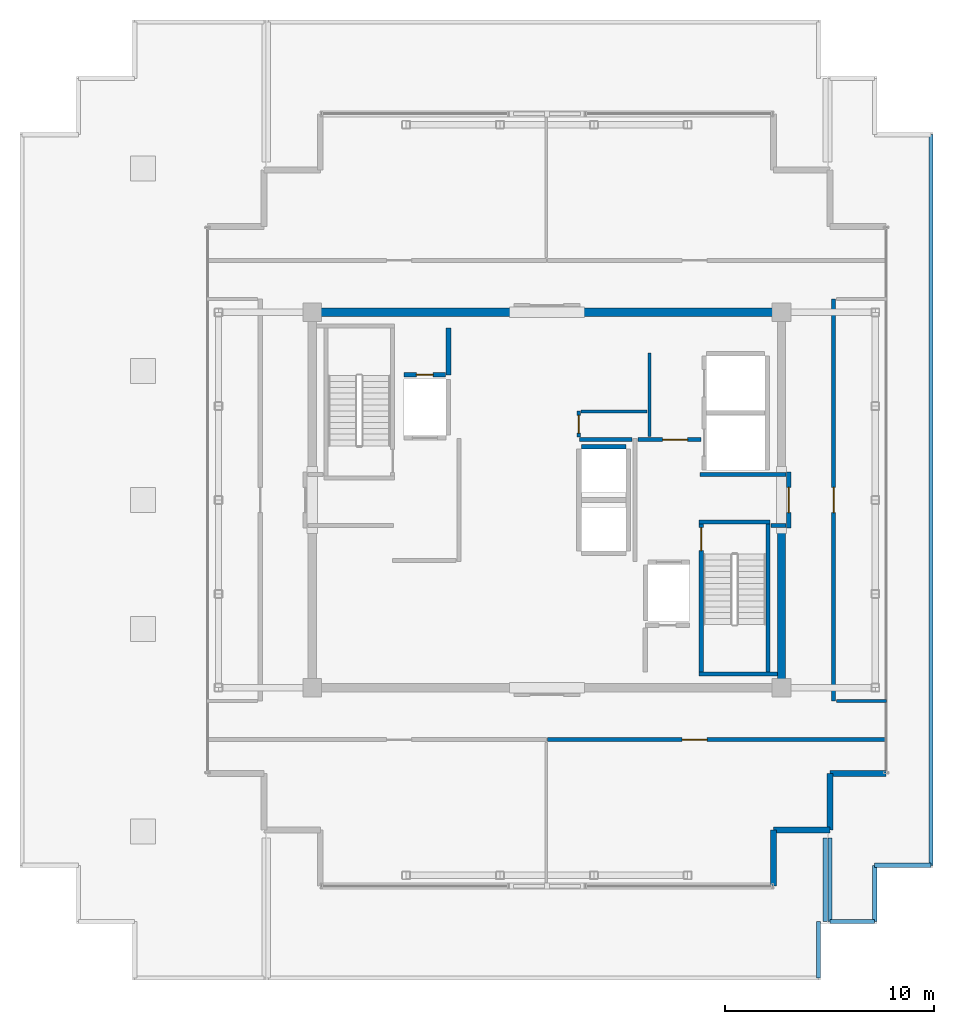
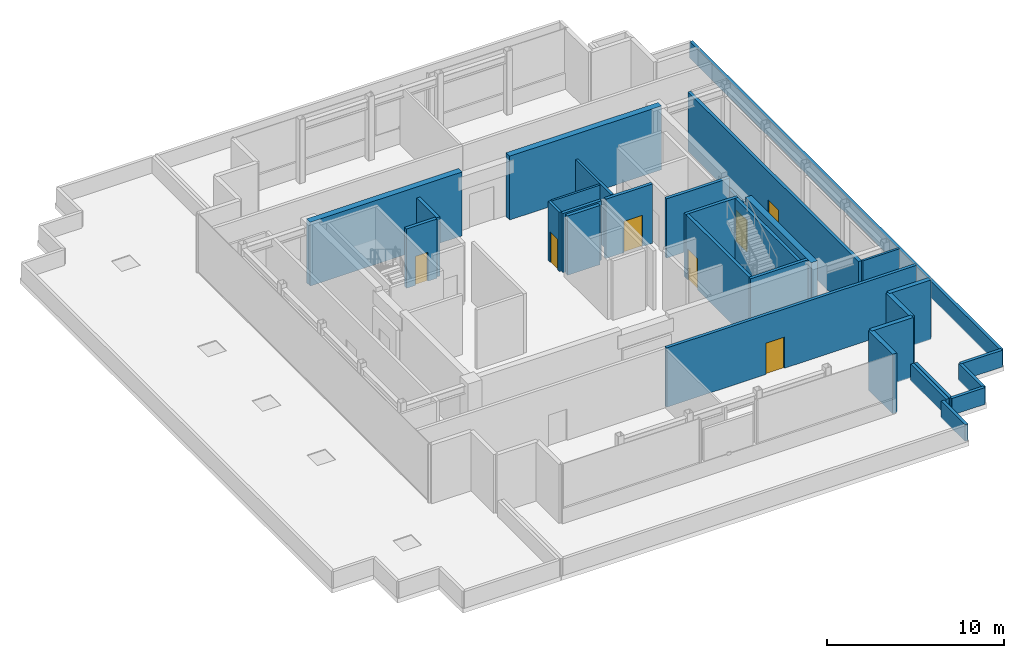
# One storey, part 10 of 14: 32 walls, 7 doors, 7 openings.
"""IFC4 building model written with IfcOpenShell, lengths in metres."""

from ifc_helpers import new_model, si_unit, direction, frame, frame_2d, origin, place, context, subcontext, project, spatial, rectangle, extrude, source, transform, mapped, material, layer, layer_set, type_object, element, fill, save


model = new_model("IFC4")

# Units and contexts
model_context = context("Model", 3, precision=1e-05, world=origin(), true_north=direction((0.0, 1.0)))
body_context = subcontext(model_context, "Body", "Model", "MODEL_VIEW")
ifc_project = project(units=[si_unit("LENGTHUNIT", "METRE"), si_unit("AREAUNIT", "SQUARE_METRE"), si_unit("VOLUMEUNIT", "CUBIC_METRE"), si_unit("PLANEANGLEUNIT", "RADIAN"), si_unit("MASSUNIT", "GRAM", prefix="KILO")], contexts=[model_context])

# Site, building, storey
site_placement = place(None, origin())
site = spatial("IfcSite", under=ifc_project, at=site_placement, CompositionType="ELEMENT")
building_placement = place(site_placement, origin())
building = spatial("IfcBuilding", under=site, at=building_placement, Name="Nefas-Gora Pilgrimage Tower", CompositionType="ELEMENT")
storey_placement = place(building_placement, frame((0.0, 0.0, 358.60009765625)))
storey = spatial("IfcBuildingStorey", under=building, at=storey_placement, Name="L90", CompositionType="ELEMENT", Elevation=358.60009765625)

# Walls
ifc_material_1 = material(Name="Concrete C50/60", Category="concrete")
ifc_layer_1 = layer(ifc_material_1, 0.39990234375)
ifc_layer_set_1 = layer_set([ifc_layer_1], Name="Concrete C50/60")
wall_type_1 = type_object("IfcWallType", Name="SW-CORE-400", PredefinedType="SHEAR", material=ifc_layer_set_1)
shared_shape_1 = source(origin(), body_context, "Body", "SweptSolid", [
    extrude(rectangle(XDim=9.89990234375, YDim=0.39990234375, at=frame_2d((4.949951171875, 0.0))), origin(), (0.0, 0.0, 1.0), 4.39990234375),
])
for number, where, z_axis, x_axis, name in (
    (1, (-11.449951171875, 9.0, 0.0), (0.0, 0.0, 1.0), (1.0, 0.0, 0.0), "L90 Core Shear Wall N-West"),
    (2, (1.550048828125, 9.0, 0.0), (0.0, 0.0, 1.0), (1.0, 0.0, 0.0), "L90 Core Shear Wall N-East"),
):
    element("IfcWall", number, at=place(storey_placement, frame(where, z_axis=z_axis, x_axis=x_axis)), inside=storey, type_object=wall_type_1, Name=name, PredefinedType="SHEAR", context=body_context, shape_type="MappedRepresentation", body=[
        mapped(shared_shape_1, transform((0.0, 0.0, 0.0), x_axis=(1.0, 0.0, 0.0), y_axis=(0.0, 1.0, 0.0), z_axis=(0.0, 0.0, 1.0), scale=1.0)),
    ])
shared_shape_2 = source(origin(), body_context, "Body", "SweptSolid", [
    extrude(rectangle(XDim=7.449951171875, YDim=0.39990234375, at=frame_2d((3.72509765625, 0.0))), origin(), (0.0, 0.0, 1.0), 4.39990234375),
])
wall_1_placement = place(storey_placement, frame((11.25, -8.800048828125, 0.0), z_axis=(0.0, 0.0, 1.0), x_axis=(0.0, 1.0, 0.0)))
element("IfcWall", 3, at=wall_1_placement, inside=storey, type_object=wall_type_1, Name="L90 Core Shear Wall E-South", PredefinedType="SHEAR", context=body_context, shape_type="MappedRepresentation", body=[
    mapped(shared_shape_2, transform((0.0, 0.0, 0.0), x_axis=(1.0, 0.0, 0.0), y_axis=(0.0, 1.0, 0.0), z_axis=(0.0, 0.0, 1.0), scale=1.0)),
])
ifc_material_2 = material(Name="Precast concrete C40/50", Category="concrete")
ifc_layer_2 = layer(ifc_material_2, 0.199951171875)
ifc_layer_set_2 = layer_set([ifc_layer_2], Name="Precast concrete C40/50")
wall_type_2 = type_object("IfcWallType", Name="EW-PARA-200", PredefinedType="PARAPET", material=ifc_layer_set_2)
shared_shape_3 = source(origin(), body_context, "Body", "SweptSolid", [
    extrude(rectangle(XDim=2.699951171875, YDim=0.199951171875, at=frame_2d((1.35009765625, 0.0))), origin(), (0.0, 0.0, 1.0), 1.14990234375),
])
for number, where, z_axis, x_axis, name in (
    (4, (15.719970703125, -17.52001953125, 0.0), (0.0, 0.0, 1.0), (0.0, -1.0, 0.0), "L90 Maintenance Roof Perimeter Parapet 2.1"),
    (5, (18.419921875, -17.52001953125, 0.0), (0.0, 0.0, 1.0), (-1.0, 0.0, 0.0), "L90 Maintenance Roof Perimeter Parapet 2.9"),
    (6, (13.02001953125, -20.219970703125, 0.0), (0.0, 0.0, 1.0), (0.0, -1.0, 0.0), "L90 Maintenance Roof Perimeter Parapet 4.1"),
):
    element("IfcWall", number, at=place(storey_placement, frame(where, z_axis=z_axis, x_axis=x_axis)), inside=storey, type_object=wall_type_2, Name=name, PredefinedType="PARAPET", context=body_context, shape_type="MappedRepresentation", body=[
        mapped(shared_shape_3, transform((0.0, 0.0, 0.0), x_axis=(1.0, 0.0, 0.0), y_axis=(0.0, 1.0, 0.0), z_axis=(0.0, 0.0, 1.0), scale=1.0)),
    ])
shared_shape_4 = source(origin(), body_context, "Body", "SweptSolid", [
    extrude(rectangle(XDim=35.0400390625, YDim=0.199951171875, at=frame_2d((17.52001953125, 0.0))), origin(), (0.0, 0.0, 1.0), 1.14990234375),
])
wall_2_placement = place(storey_placement, frame((18.419921875, 17.52001953125, 0.0), z_axis=(0.0, 0.0, 1.0), x_axis=(0.0, -1.0, 0.0)))
element("IfcWall", 7, at=wall_2_placement, inside=storey, type_object=wall_type_2, Name="L90 Maintenance Roof Perimeter Parapet 2.8", PredefinedType="PARAPET", context=body_context, shape_type="MappedRepresentation", body=[
    mapped(shared_shape_4, transform((0.0, 0.0, 0.0), x_axis=(1.0, 0.0, 0.0), y_axis=(0.0, 1.0, 0.0), z_axis=(0.0, 0.0, 1.0), scale=1.0)),
])
shared_shape_5 = source(origin(), body_context, "Body", "SweptSolid", [
    extrude(rectangle(XDim=2.14990234375, YDim=0.199951171875, at=frame_2d((1.074951171875, 0.0))), origin(), (0.0, 0.0, 1.0), 1.14990234375),
])
wall_3_placement = place(storey_placement, frame((15.719970703125, -20.219970703125, 0.0), z_axis=(0.0, 0.0, 1.0), x_axis=(-1.0, 0.0, 0.0)))
element("IfcWall", 8, at=wall_3_placement, inside=storey, type_object=wall_type_2, Name="L90 Maintenance Roof Perimeter Parapet 2.2", PredefinedType="PARAPET", context=body_context, shape_type="MappedRepresentation", body=[
    mapped(shared_shape_5, transform((0.0, 0.0, 0.0), x_axis=(1.0, 0.0, 0.0), y_axis=(0.0, 1.0, 0.0), z_axis=(0.0, 0.0, 1.0), scale=1.0)),
])
shared_shape_6 = source(origin(), body_context, "Body", "SweptSolid", [
    extrude(rectangle(XDim=4.0, YDim=0.199951171875, at=frame_2d((2.0, 0.0))), origin(), (0.0, 0.0, 1.0), 1.14990234375),
])
for number, where, z_axis, x_axis, name in (
    (9, (13.570068359375, -20.219970703125, 0.0), (0.0, 0.0, 1.0), (0.0, 1.0, 0.0), "L90 Maintenance Roof Perimeter Parapet 2.3"),
    (10, (13.35009765625, -16.219970703125, 0.0), (0.0, 0.0, 1.0), (0.0, -1.0, 0.0), "L90 Maintenance Roof Perimeter Parapet 4.4"),
):
    element("IfcWall", number, at=place(storey_placement, frame(where, z_axis=z_axis, x_axis=x_axis)), inside=storey, type_object=wall_type_2, Name=name, PredefinedType="PARAPET", context=body_context, shape_type="MappedRepresentation", body=[
        mapped(shared_shape_6, transform((0.0, 0.0, 0.0), x_axis=(1.0, 0.0, 0.0), y_axis=(0.0, 1.0, 0.0), z_axis=(0.0, 0.0, 1.0), scale=1.0)),
    ])
ifc_material_3 = material(Name="Precast concrete C45/55", Category="concrete")
ifc_layer_3 = layer(ifc_material_3, 0.280029296875)
ifc_layer_set_3 = layer_set([ifc_layer_3], Name="Precast concrete C45/55")
wall_type_3 = type_object("IfcWallType", Name="EW-PLANT-280", PredefinedType="SOLIDWALL", material=ifc_layer_set_3)
shared_shape_7 = source(origin(), body_context, "Body", "SweptSolid", [
    extrude(rectangle(XDim=2.699951171875, YDim=0.280029296875, at=frame_2d((1.35009765625, 0.0))), origin(), (0.0, 0.0, 1.0), 4.099853515625),
])
for number, where, z_axis, x_axis, name in (
    (11, (10.8701171875, -18.52001953125, 0.0), (0.0, 0.0, 1.0), (0.0, 1.0, 0.0), "L90 Serrated Corner Shear Pier Wall 15"),
    (12, (10.8701171875, -15.820068359375, 0.0), (0.0, 0.0, 1.0), (1.0, 0.0, 0.0), "L90 Serrated Corner Shear Pier Wall 16"),
    (13, (13.570068359375, -15.820068359375, 0.0), (0.0, 0.0, 1.0), (0.0, 1.0, 0.0), "L90 Serrated Corner Shear Pier Wall 17"),
    (14, (13.570068359375, -13.1201171875, 0.0), (0.0, 0.0, 1.0), (1.0, 0.0, 0.0), "L90 Serrated Corner Shear Pier Wall 18"),
):
    element("IfcWall", number, at=place(storey_placement, frame(where, z_axis=z_axis, x_axis=x_axis)), inside=storey, type_object=wall_type_3, Name=name, PredefinedType="SOLIDWALL", context=body_context, shape_type="MappedRepresentation", body=[
        mapped(shared_shape_7, transform((0.0, 0.0, 0.0), x_axis=(1.0, 0.0, 0.0), y_axis=(0.0, 1.0, 0.0), z_axis=(0.0, 0.0, 1.0), scale=1.0)),
    ])
ifc_material_4 = material(Name="Concrete C45/55", Category="concrete")
ifc_layer_4 = layer(ifc_material_4, 0.199951171875)
ifc_layer_set_4 = layer_set([ifc_layer_4], Name="Concrete C45/55")
wall_type_4 = type_object("IfcWallType", Name="IW-STAIR-200", PredefinedType="SOLIDWALL", material=ifc_layer_set_4)
shared_shape_8 = source(origin(), body_context, "Body", "SweptSolid", [
    extrude(rectangle(XDim=3.39990234375, YDim=0.199951171875, at=frame_2d((1.699951171875, 0.0))), origin(), (0.0, 0.0, 1.0), 4.39990234375),
])
wall_4_placement = place(storey_placement, frame((7.300048828125, -1.050048828125, 0.0), z_axis=(0.0, 0.0, 1.0), x_axis=(1.0, 0.0, 0.0)))
element("IfcWall", 15, at=wall_4_placement, inside=storey, type_object=wall_type_4, Name="L90 Stairwell Shear Wall ST-02-near", PredefinedType="SOLIDWALL", context=body_context, shape_type="MappedRepresentation", body=[
    mapped(shared_shape_8, transform((0.0, 0.0, 0.0), x_axis=(1.0, 0.0, 0.0), y_axis=(0.0, 1.0, 0.0), z_axis=(0.0, 0.0, 1.0), scale=1.0)),
])
shared_shape_9 = source(origin(), body_context, "Body", "SweptSolid", [
    extrude(rectangle(XDim=3.7548828125, YDim=0.199951171875, at=frame_2d((1.87744140625, 0.0))), origin(), (0.0, 0.0, 1.0), 4.39990234375),
])
wall_5_placement = place(storey_placement, frame((7.300048828125, -8.35009765625, 0.0), z_axis=(0.0, 0.0, 1.0), x_axis=(1.0, 0.0, 0.0)))
element("IfcWall", 16, at=wall_5_placement, inside=storey, type_object=wall_type_4, Name="L90 Stairwell Shear Wall ST-02-far", PredefinedType="SOLIDWALL", context=body_context, shape_type="MappedRepresentation", body=[
    mapped(shared_shape_9, transform((0.0, 0.0, 0.0), x_axis=(1.0, 0.0, 0.0), y_axis=(0.0, 1.0, 0.0), z_axis=(0.0, 0.0, 1.0), scale=1.0)),
])

# Wall, opening, door
shared_shape_10 = source(origin(), body_context, "Body", "SweptSolid", [
    extrude(rectangle(XDim=7.10009765625, YDim=0.199951171875, at=frame_2d((3.550048828125, 0.0))), origin(), (0.0, 0.0, 1.0), 4.39990234375),
])
wall_6_placement = place(storey_placement, frame((7.39990234375, -1.14990234375, 0.0), z_axis=(0.0, 0.0, 1.0), x_axis=(0.0, -1.0, 0.0)))
wall_6 = element("IfcWall", 17, at=wall_6_placement, inside=storey, type_object=wall_type_4, Name="L90 Stairwell Shear Wall ST-02-left", PredefinedType="SOLIDWALL", context=body_context, shape_type="MappedRepresentation", body=[
    mapped(shared_shape_10, transform((0.0, 0.0, 0.0), x_axis=(1.0, 0.0, 0.0), y_axis=(0.0, 1.0, 0.0), z_axis=(0.0, 0.0, 1.0), scale=1.0)),
])
opening_1_placement = place(wall_6_placement, frame((0.179931640625, 0.0, 0.0)))
opening_1 = element("IfcOpeningElement", 18, at=opening_1_placement, cuts=wall_6, Name="Opening ID-ST1", PredefinedType="OPENING", context=body_context, shape_type="SweptSolid", body=[
    extrude(rectangle(XDim=1.10009765625, YDim=2.14990234375, at=frame_2d((0.550048828125, 1.074951171875))), frame((0.0, 0.10986328125, 0.0), z_axis=(0.0, -1.0, 0.0), x_axis=(1.0, 0.0, 0.0)), (0.0, 0.0, 1.0), 0.219970703125),
])
ifc_material_5 = material(Name="Painted galvanised steel fire stair door", Category="steel")
door_type_1 = type_object("IfcDoorType", Name="DR-INT-STAIR-1100", OperationType="NOTDEFINED", PredefinedType="DOOR", material=ifc_material_5)
shared_shape_11 = source(origin(), body_context, "Body", "SweptSolid", [
    extrude(rectangle(XDim=1.10009765625, YDim=2.14990234375, at=frame_2d((0.550048828125, 1.074951171875))), frame((0.0, 0.02490234375, 0.0), z_axis=(0.0, -1.0, 0.0), x_axis=(1.0, 0.0, 0.0)), (0.0, 0.0, 1.0), 0.050048828125),
])
door_1_placement = place(opening_1_placement, origin())
door_1 = element("IfcDoor", 19, at=door_1_placement, inside=storey, type_object=door_type_1, Name="L90 Protected Exit Stair Door ST-02", OperationType="SINGLE_SWING_LEFT", OverallHeight=2.14990234375, OverallWidth=1.10009765625, PredefinedType="DOOR", context=body_context, shape_type="MappedRepresentation", body=[
    mapped(shared_shape_11, transform((0.0, 0.0, 0.0), x_axis=(1.0, 0.0, 0.0), y_axis=(0.0, 1.0, 0.0), z_axis=(0.0, 0.0, 1.0), scale=1.0)),
])
fill(opening_1, door_1)

# Walls
wall_7_placement = place(storey_placement, frame((10.60009765625, -1.14990234375, 0.0), z_axis=(0.0, 0.0, 1.0), x_axis=(0.0, -1.0, 0.0)))
element("IfcWall", 20, at=wall_7_placement, inside=storey, type_object=wall_type_4, Name="L90 Stairwell Shear Wall ST-02-right", PredefinedType="SOLIDWALL", context=body_context, shape_type="MappedRepresentation", body=[
    mapped(shared_shape_10, transform((0.0, 0.0, 0.0), x_axis=(1.0, 0.0, 0.0), y_axis=(0.0, 1.0, 0.0), z_axis=(0.0, 0.0, 1.0), scale=1.0)),
])
ifc_material_6 = material(Name="Concrete C40/50", Category="concrete")
ifc_layer_5 = layer(ifc_material_6, 0.219970703125)
ifc_layer_set_5 = layer_set([ifc_layer_5], Name="Concrete C40/50")
wall_type_5 = type_object("IfcWallType", Name="IW-SHAFT-220", PredefinedType="SOLIDWALL", material=ifc_layer_set_5)
shared_shape_12 = source(origin(), body_context, "Body", "SweptSolid", [
    extrude(rectangle(XDim=2.130126953125, YDim=0.219970703125, at=frame_2d((1.06494140625, 0.0))), origin(), (0.0, 0.0, 1.0), 4.0849609375),
])
wall_8_placement = place(storey_placement, frame((3.7900390625, 2.56005859375, 0.0), z_axis=(0.0, 0.0, 1.0), x_axis=(-1.0, 0.0, 0.0)))
element("IfcWall", 21, at=wall_8_placement, inside=storey, type_object=wall_type_5, Name="L90 Hoistway Wall OBS-02-N", PredefinedType="SOLIDWALL", context=body_context, shape_type="MappedRepresentation", body=[
    mapped(shared_shape_12, transform((0.0, 0.0, 0.0), x_axis=(1.0, 0.0, 0.0), y_axis=(0.0, 1.0, 0.0), z_axis=(0.0, 0.0, 1.0), scale=1.0)),
])
shared_shape_13 = source(origin(), body_context, "Body", "SweptSolid", [
    extrude(rectangle(XDim=2.25, YDim=0.219970703125, at=frame_2d((1.125, 0.0))), origin(), (0.0, 0.0, 1.0), 4.0849609375),
])
wall_9_placement = place(storey_placement, frame((-4.719970703125, 6.0, 0.0), z_axis=(0.0, 0.0, 1.0), x_axis=(0.0, 1.0, 0.0)))
element("IfcWall", 22, at=wall_9_placement, inside=storey, type_object=wall_type_5, Name="L90 Riser Shaft Wall 1", PredefinedType="SOLIDWALL", context=body_context, shape_type="MappedRepresentation", body=[
    mapped(shared_shape_13, transform((0.0, 0.0, 0.0), x_axis=(1.0, 0.0, 0.0), y_axis=(0.0, 1.0, 0.0), z_axis=(0.0, 0.0, 1.0), scale=1.0)),
])

# Wall, opening, door
shared_shape_14 = source(origin(), body_context, "Body", "SweptSolid", [
    extrude(rectangle(XDim=1.97998046875, YDim=0.219970703125, at=frame_2d((0.989990234375, 0.0))), origin(), (0.0, 0.0, 1.0), 4.0849609375),
])
wall_10_placement = place(storey_placement, frame((-6.85009765625, 6.0, 0.0), z_axis=(0.0, 0.0, 1.0), x_axis=(1.0, 0.0, 0.0)))
wall_10 = element("IfcWall", 23, at=wall_10_placement, inside=storey, type_object=wall_type_5, Name="L90 Riser Shaft Wall 2", PredefinedType="SOLIDWALL", context=body_context, shape_type="MappedRepresentation", body=[
    mapped(shared_shape_14, transform((0.0, 0.0, 0.0), x_axis=(1.0, 0.0, 0.0), y_axis=(0.0, 1.0, 0.0), z_axis=(0.0, 0.0, 1.0), scale=1.0)),
])
opening_2_placement = place(wall_10_placement, frame((0.590087890625, 0.0, 0.0)))
opening_2 = element("IfcOpeningElement", 24, at=opening_2_placement, cuts=wall_10, Name="Opening ID-TR1", PredefinedType="OPENING", context=body_context, shape_type="SweptSolid", body=[
    extrude(rectangle(XDim=0.800048828125, YDim=2.0, at=frame_2d((0.39990234375, 1.0))), frame((0.0, 0.119873046875, 0.0), z_axis=(0.0, -1.0, 0.0), x_axis=(1.0, 0.0, 0.0)), (0.0, 0.0, 1.0), 0.239990234375),
])
ifc_material_7 = material(Name="Riser maintenance fire access door")
door_type_2 = type_object("IfcDoorType", Name="DR-INT-TRAP-800", OperationType="NOTDEFINED", PredefinedType="TRAPDOOR", material=ifc_material_7)
shared_shape_15 = source(origin(), body_context, "Body", "SweptSolid", [
    extrude(rectangle(XDim=0.800048828125, YDim=2.0, at=frame_2d((0.39990234375, 1.0))), frame((0.0, 0.02490234375, 0.0), z_axis=(0.0, -1.0, 0.0), x_axis=(1.0, 0.0, 0.0)), (0.0, 0.0, 1.0), 0.050048828125),
])
door_2_placement = place(opening_2_placement, origin())
door_2 = element("IfcDoor", 25, at=door_2_placement, inside=storey, type_object=door_type_2, Name="L90 Riser Shaft Door 1", OperationType="SINGLE_SWING_LEFT", OverallHeight=2.0, OverallWidth=0.800048828125, PredefinedType="TRAPDOOR", context=body_context, shape_type="MappedRepresentation", body=[
    mapped(shared_shape_15, transform((0.0, 0.0, 0.0), x_axis=(1.0, 0.0, 0.0), y_axis=(0.0, 1.0, 0.0), z_axis=(0.0, 0.0, 1.0), scale=1.0)),
])
fill(opening_2, door_2)

ifc_material_8 = material(Name="Gypsum fire-rated shaftwall")
ifc_layer_6 = layer(ifc_material_8, 0.199951171875)
ifc_layer_set_6 = layer_set([ifc_layer_6], Name="Gypsum fire-rated shaftwall")
wall_type_6 = type_object("IfcWallType", Name="IW-FFLOB-200", PredefinedType="PARTITIONING", material=ifc_layer_set_6)
shared_shape_16 = source(origin(), body_context, "Body", "SweptSolid", [
    extrude(rectangle(XDim=2.7001953125, YDim=0.199951171875, at=frame_2d((1.35009765625, 0.0))), origin(), (0.0, 0.0, 1.0), 3.1748046875),
])
wall_11_placement = place(storey_placement, frame((11.60009765625, -1.35009765625, 0.0), z_axis=(0.0, 0.0, 1.0), x_axis=(0.0, 1.0, 0.0)))
wall_11 = element("IfcWall", 26, at=wall_11_placement, inside=storey, type_object=wall_type_6, Name="L90 FF Lobby East Portal Wall 10", PredefinedType="PARTITIONING", context=body_context, shape_type="MappedRepresentation", body=[
    mapped(shared_shape_16, transform((0.0, 0.0, 0.0), x_axis=(1.0, 0.0, 0.0), y_axis=(0.0, 1.0, 0.0), z_axis=(0.0, 0.0, 1.0), scale=1.0)),
])
opening_3_placement = place(wall_11_placement, frame((0.75, 0.0, 0.0)))
opening_3 = element("IfcOpeningElement", 27, at=opening_3_placement, cuts=wall_11, Name="Opening ID-FF1", PredefinedType="OPENING", context=body_context, shape_type="SweptSolid", body=[
    extrude(rectangle(XDim=1.199951171875, YDim=2.14990234375, at=frame_2d((0.60009765625, 1.074951171875))), frame((0.0, 0.10986328125, 0.0), z_axis=(0.0, -1.0, 0.0), x_axis=(1.0, 0.0, 0.0)), (0.0, 0.0, 1.0), 0.219970703125),
])
ifc_material_9 = material(Name="Smoke-sealed steel firefighting lobby door", Category="steel")
door_type_3 = type_object("IfcDoorType", Name="DR-INT-FFLOB-1200", OperationType="NOTDEFINED", PredefinedType="DOOR", material=ifc_material_9)
shared_shape_17 = source(origin(), body_context, "Body", "SweptSolid", [
    extrude(rectangle(XDim=1.199951171875, YDim=2.14990234375, at=frame_2d((0.60009765625, 1.074951171875))), frame((0.0, 0.02490234375, 0.0), z_axis=(0.0, -1.0, 0.0), x_axis=(1.0, 0.0, 0.0)), (0.0, 0.0, 1.0), 0.050048828125),
])
door_3_placement = place(opening_3_placement, origin())
door_3 = element("IfcDoor", 28, at=door_3_placement, inside=storey, type_object=door_type_3, Name="L90 FF Lobby East Portal Door 4", OperationType="SINGLE_SWING_RIGHT", OverallHeight=2.14990234375, OverallWidth=1.199951171875, PredefinedType="DOOR", context=body_context, shape_type="MappedRepresentation", body=[
    mapped(shared_shape_17, transform((0.0, 0.0, 0.0), x_axis=(1.0, 0.0, 0.0), y_axis=(0.0, 1.0, 0.0), z_axis=(0.0, 0.0, 1.0), scale=1.0)),
])
fill(opening_3, door_3)

shared_shape_18 = source(origin(), body_context, "Body", "SweptSolid", [
    extrude(rectangle(XDim=3.039794921875, YDim=0.199951171875, at=frame_2d((1.52001953125, 0.0))), origin(), (0.0, 0.0, 1.0), 4.0849609375),
])
wall_12_placement = place(storey_placement, frame((4.360107421875, 2.89990234375, 0.0), z_axis=(0.0, 0.0, 1.0), x_axis=(1.0, 0.0, 0.0)))
wall_12 = element("IfcWall", 29, at=wall_12_placement, inside=storey, type_object=wall_type_6, Name="L90 FF Lobby East North Wall Wall 13", PredefinedType="PARTITIONING", context=body_context, shape_type="MappedRepresentation", body=[
    mapped(shared_shape_18, transform((0.0, 0.0, 0.0), x_axis=(1.0, 0.0, 0.0), y_axis=(0.0, 1.0, 0.0), z_axis=(0.0, 0.0, 1.0), scale=1.0)),
])
opening_4_placement = place(wall_12_placement, frame((1.18994140625, 0.0, 0.0)))
opening_4 = element("IfcOpeningElement", 30, at=opening_4_placement, cuts=wall_12, Name="Opening ID-PL1", PredefinedType="OPENING", context=body_context, shape_type="SweptSolid", body=[
    extrude(rectangle(XDim=1.199951171875, YDim=2.14990234375, at=frame_2d((0.60009765625, 1.074951171875))), frame((0.0, 0.10986328125, 0.0), z_axis=(0.0, -1.0, 0.0), x_axis=(1.0, 0.0, 0.0)), (0.0, 0.0, 1.0), 0.219970703125),
])
ifc_material_10 = material(Name="Heavy-duty steel plant room fire door", Category="steel")
door_type_4 = type_object("IfcDoorType", Name="DR-INT-PLANT-1200", OperationType="NOTDEFINED", PredefinedType="DOOR", material=ifc_material_10)
door_4_placement = place(opening_4_placement, origin())
door_4 = element("IfcDoor", 31, at=door_4_placement, inside=storey, type_object=door_type_4, Name="L90 Service Lift Lobby Door Door 5", OperationType="SINGLE_SWING_LEFT", OverallHeight=2.14990234375, OverallWidth=1.199951171875, PredefinedType="DOOR", context=body_context, shape_type="MappedRepresentation", body=[
    mapped(shared_shape_17, transform((0.0, 0.0, 0.0), x_axis=(1.0, 0.0, 0.0), y_axis=(0.0, 1.0, 0.0), z_axis=(0.0, 0.0, 1.0), scale=1.0)),
])
fill(opening_4, door_4)

# Walls
shared_shape_19 = source(origin(), body_context, "Body", "SweptSolid", [
    extrude(rectangle(XDim=0.719970703125, YDim=0.199951171875, at=frame_2d((0.35986328125, 0.0))), origin(), (0.0, 0.0, 1.0), 4.0849609375),
])
wall_13_placement = place(storey_placement, frame((10.739990234375, -1.219970703125, 0.0), z_axis=(0.0, 0.0, 1.0), x_axis=(1.0, 0.0, 0.0)))
element("IfcWall", 32, at=wall_13_placement, inside=storey, type_object=wall_type_6, Name="L90 FF Lobby East Throat S Wall 15", PredefinedType="PARTITIONING", context=body_context, shape_type="MappedRepresentation", body=[
    mapped(shared_shape_19, transform((0.0, 0.0, 0.0), x_axis=(1.0, 0.0, 0.0), y_axis=(0.0, 1.0, 0.0), z_axis=(0.0, 0.0, 1.0), scale=1.0)),
])
shared_shape_20 = source(origin(), body_context, "Body", "SweptSolid", [
    extrude(rectangle(XDim=4.10986328125, YDim=0.199951171875, at=frame_2d((2.054931640625, 0.0))), origin(), (0.0, 0.0, 1.0), 4.0849609375),
])
wall_14_placement = place(storey_placement, frame((7.35009765625, 1.219970703125, 0.0), z_axis=(0.0, 0.0, 1.0), x_axis=(1.0, 0.0, 0.0)))
element("IfcWall", 33, at=wall_14_placement, inside=storey, type_object=wall_type_6, Name="L90 FF Lobby East Throat N Wall 14", PredefinedType="PARTITIONING", context=body_context, shape_type="MappedRepresentation", body=[
    mapped(shared_shape_20, transform((0.0, 0.0, 0.0), x_axis=(1.0, 0.0, 0.0), y_axis=(0.0, 1.0, 0.0), z_axis=(0.0, 0.0, 1.0), scale=1.0)),
])
shared_shape_21 = source(origin(), body_context, "Body", "SweptSolid", [
    extrude(rectangle(XDim=2.52001953125, YDim=0.199951171875, at=frame_2d((1.260009765625, 0.0))), origin(), (0.0, 0.0, 1.0), 4.0849609375),
])
wall_15_placement = place(storey_placement, frame((1.56005859375, 2.89990234375, 0.0), z_axis=(0.0, 0.0, 1.0), x_axis=(1.0, 0.0, 0.0)))
element("IfcWall", 34, at=wall_15_placement, inside=storey, type_object=wall_type_6, Name="L90 FF Lobby East North Wall Wall 12", PredefinedType="PARTITIONING", context=body_context, shape_type="MappedRepresentation", body=[
    mapped(shared_shape_21, transform((0.0, 0.0, 0.0), x_axis=(1.0, 0.0, 0.0), y_axis=(0.0, 1.0, 0.0), z_axis=(0.0, 0.0, 1.0), scale=1.0)),
])
ifc_material_11 = material(Name="Gypsum acoustic stud partition")
ifc_layer_7 = layer(ifc_material_11, 0.159912109375)
ifc_layer_set_7 = layer_set([ifc_layer_7], Name="Gypsum acoustic stud partition")
wall_type_7 = type_object("IfcWallType", Name="IW-CORR-160", PredefinedType="PARTITIONING", material=ifc_layer_set_7)
shared_shape_22 = source(origin(), body_context, "Body", "SweptSolid", [
    extrude(rectangle(XDim=4.010009765625, YDim=0.159912109375, at=frame_2d((2.0048828125, 0.0))), origin(), (0.0, 0.0, 1.0), 4.0849609375),
])
wall_16_placement = place(storey_placement, frame((4.919921875, 3.0400390625, 0.0), z_axis=(0.0, 0.0, 1.0), x_axis=(0.0, 1.0, 0.0)))
element("IfcWall", 35, at=wall_16_placement, inside=storey, type_object=wall_type_7, Name="L90 Service Lift Lobby West Wall Wall 18", PredefinedType="PARTITIONING", context=body_context, shape_type="MappedRepresentation", body=[
    mapped(shared_shape_22, transform((0.0, 0.0, 0.0), x_axis=(1.0, 0.0, 0.0), y_axis=(0.0, 1.0, 0.0), z_axis=(0.0, 0.0, 1.0), scale=1.0)),
])

# Wall, opening, door
shared_shape_23 = source(origin(), body_context, "Body", "SweptSolid", [
    extrude(rectangle(XDim=1.25, YDim=0.159912109375, at=frame_2d((0.625, 0.0))), origin(), (0.0, 0.0, 1.0), 4.0849609375),
])
wall_17_placement = place(storey_placement, frame((1.52001953125, 3.010009765625, 0.0), z_axis=(0.0, 0.0, 1.0), x_axis=(0.0, 1.0, 0.0)))
wall_17 = element("IfcWall", 36, at=wall_17_placement, inside=storey, type_object=wall_type_7, Name="L90 Core Communications Room Wall 19", PredefinedType="PARTITIONING", context=body_context, shape_type="MappedRepresentation", body=[
    mapped(shared_shape_23, transform((0.0, 0.0, 0.0), x_axis=(1.0, 0.0, 0.0), y_axis=(0.0, 1.0, 0.0), z_axis=(0.0, 0.0, 1.0), scale=1.0)),
])
opening_5_placement = place(wall_17_placement, frame((0.199951171875, 0.0, 0.0)))
opening_5 = element("IfcOpeningElement", 37, at=opening_5_placement, cuts=wall_17, Name="Opening ID-BT1", PredefinedType="OPENING", context=body_context, shape_type="SweptSolid", body=[
    extrude(rectangle(XDim=0.85009765625, YDim=2.10009765625, at=frame_2d((0.425048828125, 1.050048828125))), frame((0.0, 0.08984375, 0.0), z_axis=(0.0, -1.0, 0.0), x_axis=(1.0, 0.0, 0.0)), (0.0, 0.0, 1.0), 0.179931640625),
])
ifc_material_12 = material(Name="Moisture-resistant fire-rated timber door", Category="wood")
door_type_5 = type_object("IfcDoorType", Name="DR-INT-BATH-850", OperationType="NOTDEFINED", PredefinedType="DOOR", material=ifc_material_12)
shared_shape_24 = source(origin(), body_context, "Body", "SweptSolid", [
    extrude(rectangle(XDim=0.85009765625, YDim=2.10009765625, at=frame_2d((0.425048828125, 1.050048828125))), frame((0.0, 0.02490234375, 0.0), z_axis=(0.0, -1.0, 0.0), x_axis=(1.0, 0.0, 0.0)), (0.0, 0.0, 1.0), 0.050048828125),
])
door_5_placement = place(opening_5_placement, origin())
door_5 = element("IfcDoor", 38, at=door_5_placement, inside=storey, type_object=door_type_5, Name="L90 Core Communications Room Door 8", OperationType="SINGLE_SWING_RIGHT", OverallHeight=2.10009765625, OverallWidth=0.85009765625, PredefinedType="DOOR", context=body_context, shape_type="MappedRepresentation", body=[
    mapped(shared_shape_24, transform((0.0, 0.0, 0.0), x_axis=(1.0, 0.0, 0.0), y_axis=(0.0, 1.0, 0.0), z_axis=(0.0, 0.0, 1.0), scale=1.0)),
])
fill(opening_5, door_5)

# Wall
ifc_material_13 = material(Name="Gypsum twin-stud partition")
ifc_layer_8 = layer(ifc_material_13, 0.139892578125)
ifc_layer_set_8 = layer_set([ifc_layer_8], Name="Gypsum twin-stud partition")
wall_type_8 = type_object("IfcWallType", Name="IW-UNIT-140", PredefinedType="PARTITIONING", material=ifc_layer_set_8)
shared_shape_25 = source(origin(), body_context, "Body", "SweptSolid", [
    extrude(rectangle(XDim=3.150146484375, YDim=0.139892578125, at=frame_2d((1.5751953125, 0.0))), origin(), (0.0, 0.0, 1.0), 4.0849609375),
])
wall_18_placement = place(storey_placement, frame((1.639892578125, 4.25, 0.0), z_axis=(0.0, 0.0, 1.0), x_axis=(1.0, 0.0, 0.0)))
element("IfcWall", 39, at=wall_18_placement, inside=storey, type_object=wall_type_8, Name="L90 Core Communications Room Partition Wall 20", PredefinedType="PARTITIONING", context=body_context, shape_type="MappedRepresentation", body=[
    mapped(shared_shape_25, transform((0.0, 0.0, 0.0), x_axis=(1.0, 0.0, 0.0), y_axis=(0.0, 1.0, 0.0), z_axis=(0.0, 0.0, 1.0), scale=1.0)),
])

# Wall, opening, door
ifc_layer_9 = layer(ifc_material_6, 0.199951171875)
ifc_layer_set_9 = layer_set([ifc_layer_9], Name="Concrete C40/50")
wall_type_9 = type_object("IfcWallType", Name="IW-PLANT-200", PredefinedType="SOLIDWALL", material=ifc_layer_set_9)
shared_shape_26 = source(origin(), body_context, "Body", "SweptSolid", [
    extrude(rectangle(XDim=19.27978515625, YDim=0.199951171875, at=frame_2d((9.639892578125, 0.0))), origin(), (0.0, 0.0, 1.0), 4.0849609375),
])
wall_19_placement = place(storey_placement, frame((13.75, -9.639892578125, 0.0), z_axis=(0.0, 0.0, 1.0), x_axis=(0.0, 1.0, 0.0)))
wall_19 = element("IfcWall", 40, at=wall_19_placement, inside=storey, type_object=wall_type_9, Name="L90 Tower Elevator Machine Plant Room Partition Wall 24", PredefinedType="SOLIDWALL", context=body_context, shape_type="MappedRepresentation", body=[
    mapped(shared_shape_26, transform((0.0, 0.0, 0.0), x_axis=(1.0, 0.0, 0.0), y_axis=(0.0, 1.0, 0.0), z_axis=(0.0, 0.0, 1.0), scale=1.0)),
])
opening_6_placement = place(wall_19_placement, frame((9.0400390625, 0.0, 0.0)))
opening_6 = element("IfcOpeningElement", 41, at=opening_6_placement, cuts=wall_19, Name="Opening ID-PL1", PredefinedType="OPENING", context=body_context, shape_type="SweptSolid", body=[
    extrude(rectangle(XDim=1.199951171875, YDim=2.14990234375, at=frame_2d((0.60009765625, 1.074951171875))), frame((0.0, 0.10986328125, 0.0), z_axis=(0.0, -1.0, 0.0), x_axis=(1.0, 0.0, 0.0)), (0.0, 0.0, 1.0), 0.219970703125),
])
door_6_placement = place(opening_6_placement, origin())
door_6 = element("IfcDoor", 42, at=door_6_placement, inside=storey, type_object=door_type_4, Name="L90 Tower Elevator Machine Plant Room Door 10", OperationType="SINGLE_SWING_RIGHT", OverallHeight=2.14990234375, OverallWidth=1.199951171875, PredefinedType="DOOR", context=body_context, shape_type="MappedRepresentation", body=[
    mapped(shared_shape_17, transform((0.0, 0.0, 0.0), x_axis=(1.0, 0.0, 0.0), y_axis=(0.0, 1.0, 0.0), z_axis=(0.0, 0.0, 1.0), scale=1.0)),
])
fill(opening_6, door_6)

# Wall
shared_shape_27 = source(origin(), body_context, "Body", "SweptSolid", [
    extrude(rectangle(XDim=2.400146484375, YDim=0.139892578125, at=frame_2d((1.2001953125, 0.0))), origin(), (0.0, 0.0, 1.0), 4.0849609375),
])
wall_20_placement = place(storey_placement, frame((13.889892578125, -9.6298828125, 0.0), z_axis=(0.0, 0.0, 1.0), x_axis=(1.0, 0.0, 0.0)))
element("IfcWall", 43, at=wall_20_placement, inside=storey, type_object=wall_type_8, Name="L90 Tower Elevator Machine Plant Room Partition Wall 26", PredefinedType="PARTITIONING", context=body_context, shape_type="MappedRepresentation", body=[
    mapped(shared_shape_27, transform((0.0, 0.0, 0.0), x_axis=(1.0, 0.0, 0.0), y_axis=(0.0, 1.0, 0.0), z_axis=(0.0, 0.0, 1.0), scale=1.0)),
])

# Wall, opening, door
shared_shape_28 = source(origin(), body_context, "Body", "SweptSolid", [
    extrude(rectangle(XDim=16.27001953125, YDim=0.199951171875, at=frame_2d((8.135009765625, 0.0))), origin(), (0.0, 0.0, 1.0), 4.0849609375),
])
wall_21_placement = place(storey_placement, frame((0.02001953125, -11.489990234375, 0.0), z_axis=(0.0, 0.0, 1.0), x_axis=(1.0, 0.0, 0.0)))
wall_21 = element("IfcWall", 44, at=wall_21_placement, inside=storey, type_object=wall_type_9, Name="L90 Domestic and Fire Reserve Water Tank Plant Room Partition Wall 32", PredefinedType="SOLIDWALL", context=body_context, shape_type="MappedRepresentation", body=[
    mapped(shared_shape_28, transform((0.0, 0.0, 0.0), x_axis=(1.0, 0.0, 0.0), y_axis=(0.0, 1.0, 0.0), z_axis=(0.0, 0.0, 1.0), scale=1.0)),
])
opening_7_placement = place(wall_21_placement, frame((6.468994140625, 0.0, 0.0)))
opening_7 = element("IfcOpeningElement", 45, at=opening_7_placement, cuts=wall_21, Name="Opening ID-PL1", PredefinedType="OPENING", context=body_context, shape_type="SweptSolid", body=[
    extrude(rectangle(XDim=1.199951171875, YDim=2.14990234375, at=frame_2d((0.60009765625, 1.074951171875))), frame((0.0, 0.10986328125, 0.0), z_axis=(0.0, -1.0, 0.0), x_axis=(1.0, 0.0, 0.0)), (0.0, 0.0, 1.0), 0.219970703125),
])
door_7_placement = place(opening_7_placement, origin())
door_7 = element("IfcDoor", 46, at=door_7_placement, inside=storey, type_object=door_type_4, Name="L90 Domestic and Fire Reserve Water Tank Plant Room Door 14", OperationType="SINGLE_SWING_RIGHT", OverallHeight=2.14990234375, OverallWidth=1.199951171875, PredefinedType="DOOR", context=body_context, shape_type="MappedRepresentation", body=[
    mapped(shared_shape_17, transform((0.0, 0.0, 0.0), x_axis=(1.0, 0.0, 0.0), y_axis=(0.0, 1.0, 0.0), z_axis=(0.0, 0.0, 1.0), scale=1.0)),
])
fill(opening_7, door_7)

save(model, "model.ifc")
